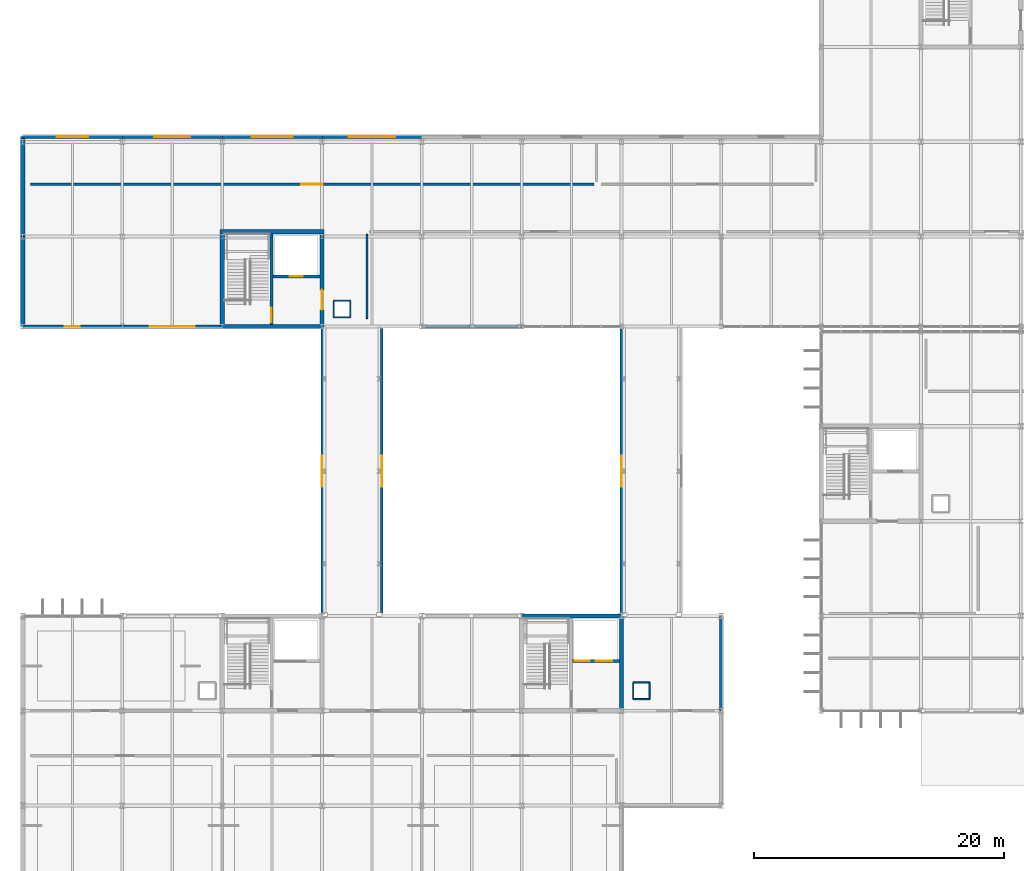
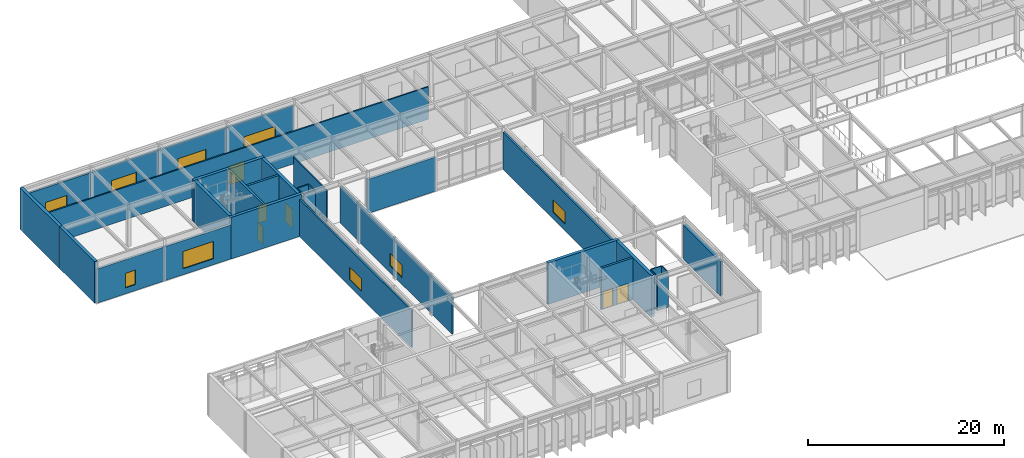
# One storey, part 71 of 94: 32 walls, 9 windows, 6 doors, 15 openings.
"""IFC4 building model written with IfcOpenShell, lengths in metres."""

from ifc_helpers import new_model, si_unit, direction, frame, frame_2d, origin, place, context, subcontext, project, spatial, rectangle, extrude, material, layer, layer_set, type_object, element, fill, save


model = new_model("IFC4")

# Units and contexts
model_context = context("Model", 3, precision=1e-05, world=origin(), true_north=direction((0.0, 1.0)))
body_context = subcontext(model_context, "Body", "Model", "MODEL_VIEW")
ifc_project = project(units=[si_unit("LENGTHUNIT", "METRE"), si_unit("AREAUNIT", "SQUARE_METRE"), si_unit("VOLUMEUNIT", "CUBIC_METRE"), si_unit("PLANEANGLEUNIT", "RADIAN"), si_unit("MASSUNIT", "GRAM", prefix="KILO")], contexts=[model_context])

# Site, building, storey
site_placement = place(None, origin())
site = spatial("IfcSite", under=ifc_project, at=site_placement, CompositionType="ELEMENT")
building_placement = place(site_placement, origin())
building = spatial("IfcBuilding", under=site, at=building_placement, Name="Zulena Civic Courthouse", CompositionType="ELEMENT")
storey_placement = place(building_placement, frame((0.0, 0.0, 5.39990234375)))
storey = spatial("IfcBuildingStorey", under=building, at=storey_placement, Name="L01", CompositionType="ELEMENT", Elevation=5.39990234375)

# Wall, opening, window
ifc_material_1 = material(Name="Travertine-cream architectural precast concrete C40/50", Category="masonry")
ifc_layer_1 = layer(ifc_material_1, 0.205078125)
ifc_layer_set_1 = layer_set([ifc_layer_1], Name="Travertine-cream architectural precast concrete C40/50")
wall_type_1 = type_object("IfcWallType", Name="BridgeWall_GlazedScreen_205", PredefinedType="STANDARD", material=ifc_layer_set_1)
wall_1_placement = place(storey_placement, frame((28.0, 22.97998046875, 0.0), z_axis=(0.0, 0.0, 1.0), x_axis=(0.0, 1.0, 0.0)))
wall_1 = element("IfcWall", 1, at=wall_1_placement, inside=storey, type_object=wall_type_1, Name="ewall:bridge:BR-52J:L01:W", PredefinedType="STANDARD", context=body_context, shape_type="SweptSolid", body=[
    extrude(rectangle(XDim=22.840087890625, YDim=0.205078125, at=frame_2d((11.419921875, 0.0))), origin(), (0.0, 0.0, 1.0), 4.6201171875),
])
opening_1_placement = place(wall_1_placement, frame((10.195068359375, 0.0, 0.85009765625)))
opening_1 = element("IfcOpeningElement", 2, at=opening_1_placement, cuts=wall_1, Name="Opening WN27", PredefinedType="OPENING", context=body_context, shape_type="SweptSolid", body=[
    extrude(rectangle(XDim=2.449951171875, YDim=1.550048828125, at=frame_2d((1.22509765625, 0.77490234375))), frame((0.0, 0.112548828125, 0.0), z_axis=(0.0, -1.0, 0.0), x_axis=(1.0, 0.0, 0.0)), (0.0, 0.0, 1.0), 0.22509765625),
])
ifc_material_2 = material(Name="Double-silver low-E laminated solar-control glass", Category="glass")
window_type_1 = type_object("IfcWindowType", Name="Win_2450x1550", PartitioningType="DOUBLE_PANEL_VERTICAL", PredefinedType="WINDOW", material=ifc_material_2)
window_1_placement = place(opening_1_placement, origin())
window_1 = element("IfcWindow", 3, at=window_1_placement, inside=storey, type_object=window_type_1, Name="win:bridge:BR-52J:L01:W", OverallHeight=1.550048828125, OverallWidth=2.449951171875, PartitioningType="SINGLE_PANEL", PredefinedType="WINDOW", context=body_context, shape_type="SweptSolid", body=[
    extrude(rectangle(XDim=2.449951171875, YDim=1.550048828125, at=frame_2d((1.22509765625, 0.77490234375))), frame((0.0, 0.030029296875, 0.0), z_axis=(0.0, -1.0, 0.0), x_axis=(1.0, 0.0, 0.0)), (0.0, 0.0, 1.0), 0.06005859375),
])
fill(opening_1, window_1)

wall_2_placement = place(storey_placement, frame((32.800048828125, 45.820068359375, 0.0), z_axis=(0.0, 0.0, 1.0), x_axis=(0.0, -1.0, 0.0)))
wall_2 = element("IfcWall", 4, at=wall_2_placement, inside=storey, type_object=wall_type_1, Name="ewall:bridge:BR-52J:L01:E", PredefinedType="STANDARD", context=body_context, shape_type="SweptSolid", body=[
    extrude(rectangle(XDim=22.840087890625, YDim=0.205078125, at=frame_2d((11.419921875, 0.0))), origin(), (0.0, 0.0, 1.0), 4.6201171875),
])
opening_2_placement = place(wall_2_placement, frame((10.195068359375, 0.0, 0.85009765625)))
opening_2 = element("IfcOpeningElement", 5, at=opening_2_placement, cuts=wall_2, Name="Opening WN27", PredefinedType="OPENING", context=body_context, shape_type="SweptSolid", body=[
    extrude(rectangle(XDim=2.449951171875, YDim=1.550048828125, at=frame_2d((1.22509765625, 0.77490234375))), frame((0.0, 0.112548828125, 0.0), z_axis=(0.0, -1.0, 0.0), x_axis=(1.0, 0.0, 0.0)), (0.0, 0.0, 1.0), 0.22509765625),
])
window_2_placement = place(opening_2_placement, origin())
window_2 = element("IfcWindow", 6, at=window_2_placement, inside=storey, type_object=window_type_1, Name="win:bridge:BR-52J:L01:E", OverallHeight=1.550048828125, OverallWidth=2.449951171875, PartitioningType="SINGLE_PANEL", PredefinedType="WINDOW", context=body_context, shape_type="SweptSolid", body=[
    extrude(rectangle(XDim=2.449951171875, YDim=1.550048828125, at=frame_2d((1.22509765625, 0.77490234375))), frame((0.0, 0.030029296875, 0.0), z_axis=(0.0, -1.0, 0.0), x_axis=(1.0, 0.0, 0.0)), (0.0, 0.0, 1.0), 0.06005859375),
])
fill(opening_2, window_2)

wall_3_placement = place(storey_placement, frame((52.0, 22.97998046875, 0.0), z_axis=(0.0, 0.0, 1.0), x_axis=(0.0, 1.0, 0.0)))
wall_3 = element("IfcWall", 7, at=wall_3_placement, inside=storey, type_object=wall_type_1, Name="ewall:bridge:BR-52C:L01:W", PredefinedType="STANDARD", context=body_context, shape_type="SweptSolid", body=[
    extrude(rectangle(XDim=22.840087890625, YDim=0.205078125, at=frame_2d((11.419921875, 0.0))), origin(), (0.0, 0.0, 1.0), 4.6201171875),
])
opening_3_placement = place(wall_3_placement, frame((10.195068359375, 0.0, 0.85009765625)))
opening_3 = element("IfcOpeningElement", 8, at=opening_3_placement, cuts=wall_3, Name="Opening WN27", PredefinedType="OPENING", context=body_context, shape_type="SweptSolid", body=[
    extrude(rectangle(XDim=2.449951171875, YDim=1.550048828125, at=frame_2d((1.22509765625, 0.77490234375))), frame((0.0, 0.112548828125, 0.0), z_axis=(0.0, -1.0, 0.0), x_axis=(1.0, 0.0, 0.0)), (0.0, 0.0, 1.0), 0.22509765625),
])
window_3_placement = place(opening_3_placement, origin())
window_3 = element("IfcWindow", 9, at=window_3_placement, inside=storey, type_object=window_type_1, Name="win:bridge:BR-52C:L01:W", OverallHeight=1.550048828125, OverallWidth=2.449951171875, PartitioningType="SINGLE_PANEL", PredefinedType="WINDOW", context=body_context, shape_type="SweptSolid", body=[
    extrude(rectangle(XDim=2.449951171875, YDim=1.550048828125, at=frame_2d((1.22509765625, 0.77490234375))), frame((0.0, 0.030029296875, 0.0), z_axis=(0.0, -1.0, 0.0), x_axis=(1.0, 0.0, 0.0)), (0.0, 0.0, 1.0), 0.06005859375),
])
fill(opening_3, window_3)

# Wall, openings, doors
ifc_material_3 = material(Name="Concrete C40/50", Category="concrete")
ifc_layer_2 = layer(ifc_material_3, 0.25)
ifc_layer_set_2 = layer_set([ifc_layer_2], Name="Concrete C40/50")
wall_type_2 = type_object("IfcWallType", Name="CoreShearWall_RC250", PredefinedType="SHEAR", material=ifc_layer_set_2)
wall_4_placement = place(storey_placement, frame((48.074951171875, 19.199951171875, 0.0), z_axis=(0.0, 0.0, 1.0), x_axis=(1.0, 0.0, 0.0)))
wall_4 = element("IfcWall", 10, at=wall_4_placement, inside=storey, type_object=wall_type_2, Name="cwall:K2B:L01:SHF", PredefinedType="SHEAR", context=body_context, shape_type="SweptSolid", body=[
    extrude(rectangle(XDim=3.75, YDim=0.25, at=frame_2d((1.875, 0.0))), origin(), (0.0, 0.0, 1.0), 5.190185546875),
])
opening_4_placement = place(wall_4_placement, frame((0.179931640625, 0.0, 0.0)))
opening_4 = element("IfcOpeningElement", 11, at=opening_4_placement, cuts=wall_4, Name="Opening LD01", PredefinedType="OPENING", context=body_context, shape_type="SweptSolid", body=[
    extrude(rectangle(XDim=1.199951171875, YDim=2.199951171875, at=frame_2d((0.60009765625, 1.10009765625))), frame((0.0, 0.135009765625, 0.0), z_axis=(0.0, -1.0, 0.0), x_axis=(1.0, 0.0, 0.0)), (0.0, 0.0, 1.0), 0.27001953125),
])
opening_5_placement = place(wall_4_placement, frame((1.85009765625, 0.0, 0.0)))
opening_5 = element("IfcOpeningElement", 12, at=opening_5_placement, cuts=wall_4, Name="Opening LD04", PredefinedType="OPENING", context=body_context, shape_type="SweptSolid", body=[
    extrude(rectangle(XDim=1.35009765625, YDim=2.199951171875, at=frame_2d((0.675048828125, 1.10009765625))), frame((0.0, 0.135009765625, 0.0), z_axis=(0.0, -1.0, 0.0), x_axis=(1.0, 0.0, 0.0)), (0.0, 0.0, 1.0), 0.27001953125),
])
ifc_material_4 = material(Name="Fire-rated galvanised steel ASTM A653 Grade 50", Category="steel")
door_type_1 = type_object("IfcDoorType", Name="LiftLandingDoor_FF_1200x2200", OperationType="SLIDING_TO_LEFT", PredefinedType="DOOR", material=ifc_material_4)
door_1_placement = place(opening_4_placement, origin())
door_1 = element("IfcDoor", 13, at=door_1_placement, inside=storey, type_object=door_type_1, Name="door:ld:FL-02:L01", OperationType="SLIDING_TO_LEFT", OverallHeight=2.199951171875, OverallWidth=1.199951171875, PredefinedType="DOOR", context=body_context, shape_type="SweptSolid", body=[
    extrude(rectangle(XDim=1.199951171875, YDim=2.199951171875, at=frame_2d((0.60009765625, 1.10009765625))), frame((0.0, 0.02490234375, 0.0), z_axis=(0.0, -1.0, 0.0), x_axis=(1.0, 0.0, 0.0)), (0.0, 0.0, 1.0), 0.050048828125),
])
fill(opening_4, door_1)
door_type_2 = type_object("IfcDoorType", Name="LiftLandingDoor_Goods_1350x2300", OperationType="DOUBLE_DOOR_SLIDING", PredefinedType="DOOR", material=ifc_material_4)
door_2_placement = place(opening_5_placement, origin())
door_2 = element("IfcDoor", 14, at=door_2_placement, inside=storey, type_object=door_type_2, Name="door:ld:CL-01:L01", OperationType="DOUBLE_DOOR_SLIDING", OverallHeight=2.199951171875, OverallWidth=1.35009765625, PredefinedType="DOOR", context=body_context, shape_type="SweptSolid", body=[
    extrude(rectangle(XDim=1.35009765625, YDim=2.199951171875, at=frame_2d((0.675048828125, 1.10009765625))), frame((0.0, 0.02490234375, 0.0), z_axis=(0.0, -1.0, 0.0), x_axis=(1.0, 0.0, 0.0)), (0.0, 0.0, 1.0), 0.050048828125),
])
fill(opening_5, door_2)

# Wall, opening, door
wall_5_placement = place(storey_placement, frame((23.949951171875, 46.175048828125, 0.0), z_axis=(0.0, 0.0, 1.0), x_axis=(0.0, 1.0, 0.0)))
wall_5 = element("IfcWall", 15, at=wall_5_placement, inside=storey, type_object=wall_type_2, Name="cwall:K5A:L01:DIV", PredefinedType="SHEAR", context=body_context, shape_type="SweptSolid", body=[
    extrude(rectangle(XDim=7.25, YDim=0.25, at=frame_2d((3.625, 0.0))), origin(), (0.0, 0.0, 1.0), 5.190185546875),
])
opening_6_placement = place(wall_5_placement, frame((0.179931640625, 0.0, 0.0)))
opening_6 = element("IfcOpeningElement", 16, at=opening_6_placement, cuts=wall_5, Name="Opening ID08", PredefinedType="OPENING", context=body_context, shape_type="SweptSolid", body=[
    extrude(rectangle(XDim=1.14990234375, YDim=2.199951171875, at=frame_2d((0.574951171875, 1.10009765625))), frame((0.0, 0.135009765625, 0.0), z_axis=(0.0, -1.0, 0.0), x_axis=(1.0, 0.0, 0.0)), (0.0, 0.0, 1.0), 0.27001953125),
])
door_type_3 = type_object("IfcDoorType", Name="IntDoor_Stair_1150x2200", OperationType="NOTDEFINED", PredefinedType="DOOR", material=ifc_material_4)
door_3_placement = place(opening_6_placement, origin())
door_3 = element("IfcDoor", 17, at=door_3_placement, inside=storey, type_object=door_type_3, Name="door:stair:K5A:L01", OperationType="SINGLE_SWING_LEFT", OverallHeight=2.199951171875, OverallWidth=1.14990234375, PredefinedType="DOOR", context=body_context, shape_type="SweptSolid", body=[
    extrude(rectangle(XDim=1.14990234375, YDim=2.199951171875, at=frame_2d((0.574951171875, 1.10009765625))), frame((0.0, 0.02490234375, 0.0), z_axis=(0.0, -1.0, 0.0), x_axis=(1.0, 0.0, 0.0)), (0.0, 0.0, 1.0), 0.050048828125),
])
fill(opening_6, door_3)

wall_6_placement = place(storey_placement, frame((24.074951171875, 50.0, 0.0), z_axis=(0.0, 0.0, 1.0), x_axis=(1.0, 0.0, 0.0)))
wall_6 = element("IfcWall", 18, at=wall_6_placement, inside=storey, type_object=wall_type_2, Name="cwall:K5A:L01:SHF", PredefinedType="SHEAR", context=body_context, shape_type="SweptSolid", body=[
    extrude(rectangle(XDim=3.75, YDim=0.25, at=frame_2d((1.875, 0.0))), origin(), (0.0, 0.0, 1.0), 5.190185546875),
])
opening_7_placement = place(wall_6_placement, frame((1.344970703125, 0.0, 0.0)))
opening_7 = element("IfcOpeningElement", 19, at=opening_7_placement, cuts=wall_6, Name="Opening LD03", PredefinedType="OPENING", context=body_context, shape_type="SweptSolid", body=[
    extrude(rectangle(XDim=1.050048828125, YDim=2.199951171875, at=frame_2d((0.52490234375, 1.10009765625))), frame((0.0, 0.135009765625, 0.0), z_axis=(0.0, -1.0, 0.0), x_axis=(1.0, 0.0, 0.0)), (0.0, 0.0, 1.0), 0.27001953125),
])
door_type_4 = type_object("IfcDoorType", Name="LiftLandingDoor_Jud_1050x2200", OperationType="SLIDING_TO_RIGHT", PredefinedType="DOOR", material=ifc_material_4)
door_4_placement = place(opening_7_placement, origin())
door_4 = element("IfcDoor", 20, at=door_4_placement, inside=storey, type_object=door_type_4, Name="door:ld:JL-02:L01", OperationType="SLIDING_TO_RIGHT", OverallHeight=2.199951171875, OverallWidth=1.050048828125, PredefinedType="DOOR", context=body_context, shape_type="SweptSolid", body=[
    extrude(rectangle(XDim=1.050048828125, YDim=2.199951171875, at=frame_2d((0.52490234375, 1.10009765625))), frame((0.0, 0.02490234375, 0.0), z_axis=(0.0, -1.0, 0.0), x_axis=(1.0, 0.0, 0.0)), (0.0, 0.0, 1.0), 0.050048828125),
])
fill(opening_7, door_4)

# Walls
ifc_layer_3 = layer(ifc_material_3, 0.35009765625)
ifc_layer_set_3 = layer_set([ifc_layer_3], Name="Concrete C40/50")
wall_type_3 = type_object("IfcWallType", Name="CoreShearWall_RC350", PredefinedType="SHEAR", material=ifc_layer_set_3)
wall_7_placement = place(storey_placement, frame((43.824951171875, 22.800048828125, 0.0), z_axis=(0.0, 0.0, 1.0), x_axis=(1.0, 0.0, 0.0)))
element("IfcWall", 21, at=wall_7_placement, inside=storey, type_object=wall_type_3, Name="cwall:K2B:L01:N", PredefinedType="SHEAR", context=body_context, shape_type="SweptSolid", body=[
    extrude(rectangle(XDim=8.35009765625, YDim=0.35009765625, at=frame_2d((4.175048828125, 0.0))), origin(), (0.0, 0.0, 1.0), 5.190185546875),
])
wall_8_placement = place(storey_placement, frame((52.0, 15.375, 0.0), z_axis=(0.0, 0.0, 1.0), x_axis=(0.0, 1.0, 0.0)))
element("IfcWall", 22, at=wall_8_placement, inside=storey, type_object=wall_type_3, Name="cwall:K2B:L01:E", PredefinedType="SHEAR", context=body_context, shape_type="SweptSolid", body=[
    extrude(rectangle(XDim=7.25, YDim=0.35009765625, at=frame_2d((3.625, 0.0))), origin(), (0.0, 0.0, 1.0), 5.190185546875),
])
for number, where, z_axis, x_axis, name in (
    (23, (19.824951171875, 46.0, 0.0), (0.0, 0.0, 1.0), (1.0, 0.0, 0.0), "cwall:K5A:L01:S"),
    (24, (19.824951171875, 53.60009765625, 0.0), (0.0, 0.0, 1.0), (1.0, 0.0, 0.0), "cwall:K5A:L01:N"),
):
    element("IfcWall", number, at=place(storey_placement, frame(where, z_axis=z_axis, x_axis=x_axis)), inside=storey, type_object=wall_type_3, Name=name, PredefinedType="SHEAR", context=body_context, shape_type="SweptSolid", body=[
        extrude(rectangle(XDim=8.35009765625, YDim=0.35009765625, at=frame_2d((4.175048828125, 0.0))), origin(), (0.0, 0.0, 1.0), 5.190185546875),
    ])
wall_9_placement = place(storey_placement, frame((20.0, 46.175048828125, 0.0), z_axis=(0.0, 0.0, 1.0), x_axis=(0.0, 1.0, 0.0)))
element("IfcWall", 25, at=wall_9_placement, inside=storey, type_object=wall_type_3, Name="cwall:K5A:L01:W", PredefinedType="SHEAR", context=body_context, shape_type="SweptSolid", body=[
    extrude(rectangle(XDim=7.25, YDim=0.35009765625, at=frame_2d((3.625, 0.0))), origin(), (0.0, 0.0, 1.0), 5.190185546875),
])

# Wall, opening, door
wall_10_placement = place(storey_placement, frame((28.0, 46.175048828125, 0.0), z_axis=(0.0, 0.0, 1.0), x_axis=(0.0, 1.0, 0.0)))
wall_10 = element("IfcWall", 26, at=wall_10_placement, inside=storey, type_object=wall_type_3, Name="cwall:K5A:L01:E", PredefinedType="SHEAR", context=body_context, shape_type="SweptSolid", body=[
    extrude(rectangle(XDim=7.25, YDim=0.35009765625, at=frame_2d((3.625, 0.0))), origin(), (0.0, 0.0, 1.0), 5.190185546875),
])
opening_8_placement = place(wall_10_placement, frame((1.14990234375, 0.0, 0.0)))
opening_8 = element("IfcOpeningElement", 27, at=opening_8_placement, cuts=wall_10, Name="Opening ID04", PredefinedType="OPENING", context=body_context, shape_type="SweptSolid", body=[
    extrude(rectangle(XDim=1.60009765625, YDim=2.35009765625, at=frame_2d((0.800048828125, 1.175048828125))), frame((0.0, 0.18505859375, 0.0), z_axis=(0.0, -1.0, 0.0), x_axis=(1.0, 0.0, 0.0)), (0.0, 0.0, 1.0), 0.3701171875),
])
ifc_material_5 = material(Name="Solid-core acoustic hardwood timber", Category="wood")
door_type_5 = type_object("IfcDoorType", Name="IntDoor_CourtPublic_1600x2350", OperationType="DOUBLE_DOOR_SINGLE_SWING", PredefinedType="DOOR", material=ifc_material_5)
door_5_placement = place(opening_8_placement, origin())
door_5 = element("IfcDoor", 28, at=door_5_placement, inside=storey, type_object=door_type_5, Name="door:corelob:K5A:L01", OperationType="DOUBLE_DOOR_SINGLE_SWING", OverallHeight=2.35009765625, OverallWidth=1.60009765625, PredefinedType="DOOR", context=body_context, shape_type="SweptSolid", body=[
    extrude(rectangle(XDim=1.60009765625, YDim=2.35009765625, at=frame_2d((0.800048828125, 1.175048828125))), frame((0.0, 0.02490234375, 0.0), z_axis=(0.0, -1.0, 0.0), x_axis=(1.0, 0.0, 0.0)), (0.0, 0.0, 1.0), 0.050048828125),
])
fill(opening_8, door_5)

# Wall, opening, window
ifc_material_6 = material(Name="Buff architectural precast concrete C40/50", Category="concrete")
ifc_layer_4 = layer(ifc_material_6, 0.264892578125)
ifc_layer_set_4 = layer_set([ifc_layer_4], Name="Buff architectural precast concrete C40/50")
wall_type_4 = type_object("IfcWallType", Name="ExtWall_BuffPrecast_265", PredefinedType="STANDARD", material=ifc_layer_set_4)
wall_11_placement = place(storey_placement, frame((3.97998046875, 61.199951171875, 0.0), z_axis=(0.0, 0.0, 1.0), x_axis=(1.0, 0.0, 0.0)))
wall_11 = element("IfcWall", 29, at=wall_11_placement, inside=storey, type_object=wall_type_4, Name="ewall:V5:L01:1:0", PredefinedType="STANDARD", context=body_context, shape_type="SweptSolid", body=[
    extrude(rectangle(XDim=8.0400390625, YDim=0.264892578125, at=frame_2d((4.02001953125, 0.0))), origin(), (0.0, 0.0, 1.0), 4.25),
])
opening_9_placement = place(wall_11_placement, frame((2.77001953125, 0.0, 0.75)))
opening_9 = element("IfcOpeningElement", 30, at=opening_9_placement, cuts=wall_11, Name="Opening WN45", PredefinedType="OPENING", context=body_context, shape_type="SweptSolid", body=[
    extrude(rectangle(XDim=2.5, YDim=1.64990234375, at=frame_2d((1.25, 0.824951171875))), frame((0.0, 0.142333984375, 0.0), z_axis=(0.0, -1.0, 0.0), x_axis=(1.0, 0.0, 0.0)), (0.0, 0.0, 1.0), 0.284912109375),
])
window_type_2 = type_object("IfcWindowType", Name="Win_2500x1650", PartitioningType="DOUBLE_PANEL_VERTICAL", PredefinedType="WINDOW", material=ifc_material_2)
window_4_placement = place(opening_9_placement, origin())
window_4 = element("IfcWindow", 31, at=window_4_placement, inside=storey, type_object=window_type_2, Name="win:V5:L01:1:0", OverallHeight=1.64990234375, OverallWidth=2.5, PartitioningType="SINGLE_PANEL", PredefinedType="WINDOW", context=body_context, shape_type="SweptSolid", body=[
    extrude(rectangle(XDim=2.5, YDim=1.64990234375, at=frame_2d((1.25, 0.824951171875))), frame((0.0, 0.030029296875, 0.0), z_axis=(0.0, -1.0, 0.0), x_axis=(1.0, 0.0, 0.0)), (0.0, 0.0, 1.0), 0.06005859375),
])
fill(opening_9, window_4)

wall_12_placement = place(storey_placement, frame((11.97998046875, 61.199951171875, 0.0), z_axis=(0.0, 0.0, 1.0), x_axis=(1.0, 0.0, 0.0)))
wall_12 = element("IfcWall", 32, at=wall_12_placement, inside=storey, type_object=wall_type_4, Name="ewall:V5:L01:1:1", PredefinedType="STANDARD", context=body_context, shape_type="SweptSolid", body=[
    extrude(rectangle(XDim=8.0400390625, YDim=0.264892578125, at=frame_2d((4.02001953125, 0.0))), origin(), (0.0, 0.0, 1.0), 4.25),
])
opening_10_placement = place(wall_12_placement, frame((2.570068359375, 0.0, 0.75)))
opening_10 = element("IfcOpeningElement", 33, at=opening_10_placement, cuts=wall_12, Name="Opening WN46", PredefinedType="OPENING", context=body_context, shape_type="SweptSolid", body=[
    extrude(rectangle(XDim=2.89990234375, YDim=1.64990234375, at=frame_2d((1.449951171875, 0.824951171875))), frame((0.0, 0.142333984375, 0.0), z_axis=(0.0, -1.0, 0.0), x_axis=(1.0, 0.0, 0.0)), (0.0, 0.0, 1.0), 0.284912109375),
])
window_type_3 = type_object("IfcWindowType", Name="Win_2900x1650", PartitioningType="DOUBLE_PANEL_VERTICAL", PredefinedType="WINDOW", material=ifc_material_2)
window_5_placement = place(opening_10_placement, origin())
window_5 = element("IfcWindow", 34, at=window_5_placement, inside=storey, type_object=window_type_3, Name="win:V5:L01:1:1", OverallHeight=1.64990234375, OverallWidth=2.89990234375, PartitioningType="SINGLE_PANEL", PredefinedType="WINDOW", context=body_context, shape_type="SweptSolid", body=[
    extrude(rectangle(XDim=2.89990234375, YDim=1.64990234375, at=frame_2d((1.449951171875, 0.824951171875))), frame((0.0, 0.030029296875, 0.0), z_axis=(0.0, -1.0, 0.0), x_axis=(1.0, 0.0, 0.0)), (0.0, 0.0, 1.0), 0.06005859375),
])
fill(opening_10, window_5)

wall_13_placement = place(storey_placement, frame((19.97998046875, 61.199951171875, 0.0), z_axis=(0.0, 0.0, 1.0), x_axis=(1.0, 0.0, 0.0)))
wall_13 = element("IfcWall", 35, at=wall_13_placement, inside=storey, type_object=wall_type_4, Name="ewall:V5:L01:1:2", PredefinedType="STANDARD", context=body_context, shape_type="SweptSolid", body=[
    extrude(rectangle(XDim=8.0400390625, YDim=0.264892578125, at=frame_2d((4.02001953125, 0.0))), origin(), (0.0, 0.0, 1.0), 4.25),
])
opening_11_placement = place(wall_13_placement, frame((2.3701171875, 0.0, 0.75)))
opening_11 = element("IfcOpeningElement", 36, at=opening_11_placement, cuts=wall_13, Name="Opening WN47", PredefinedType="OPENING", context=body_context, shape_type="SweptSolid", body=[
    extrude(rectangle(XDim=3.300048828125, YDim=1.64990234375, at=frame_2d((1.64990234375, 0.824951171875))), frame((0.0, 0.142333984375, 0.0), z_axis=(0.0, -1.0, 0.0), x_axis=(1.0, 0.0, 0.0)), (0.0, 0.0, 1.0), 0.284912109375),
])
window_type_4 = type_object("IfcWindowType", Name="Win_3300x1650", PartitioningType="DOUBLE_PANEL_VERTICAL", PredefinedType="WINDOW", material=ifc_material_2)
window_6_placement = place(opening_11_placement, origin())
window_6 = element("IfcWindow", 37, at=window_6_placement, inside=storey, type_object=window_type_4, Name="win:V5:L01:1:2", OverallHeight=1.64990234375, OverallWidth=3.300048828125, PartitioningType="SINGLE_PANEL", PredefinedType="WINDOW", context=body_context, shape_type="SweptSolid", body=[
    extrude(rectangle(XDim=3.300048828125, YDim=1.64990234375, at=frame_2d((1.64990234375, 0.824951171875))), frame((0.0, 0.030029296875, 0.0), z_axis=(0.0, -1.0, 0.0), x_axis=(1.0, 0.0, 0.0)), (0.0, 0.0, 1.0), 0.06005859375),
])
fill(opening_11, window_6)

wall_14_placement = place(storey_placement, frame((27.97998046875, 61.199951171875, 0.0), z_axis=(0.0, 0.0, 1.0), x_axis=(1.0, 0.0, 0.0)))
wall_14 = element("IfcWall", 38, at=wall_14_placement, inside=storey, type_object=wall_type_4, Name="ewall:V5:L01:1:3", PredefinedType="STANDARD", context=body_context, shape_type="SweptSolid", body=[
    extrude(rectangle(XDim=8.0400390625, YDim=0.264892578125, at=frame_2d((4.02001953125, 0.0))), origin(), (0.0, 0.0, 1.0), 4.25),
])
opening_12_placement = place(wall_14_placement, frame((2.169921875, 0.0, 0.75)))
opening_12 = element("IfcOpeningElement", 39, at=opening_12_placement, cuts=wall_14, Name="Opening WN48", PredefinedType="OPENING", context=body_context, shape_type="SweptSolid", body=[
    extrude(rectangle(XDim=3.699951171875, YDim=1.64990234375, at=frame_2d((1.85009765625, 0.824951171875))), frame((0.0, 0.142333984375, 0.0), z_axis=(0.0, -1.0, 0.0), x_axis=(1.0, 0.0, 0.0)), (0.0, 0.0, 1.0), 0.284912109375),
])
window_type_5 = type_object("IfcWindowType", Name="Win_3700x1650", PartitioningType="DOUBLE_PANEL_VERTICAL", PredefinedType="WINDOW", material=ifc_material_2)
window_7_placement = place(opening_12_placement, origin())
window_7 = element("IfcWindow", 40, at=window_7_placement, inside=storey, type_object=window_type_5, Name="win:V5:L01:1:3", OverallHeight=1.64990234375, OverallWidth=3.699951171875, PartitioningType="SINGLE_PANEL", PredefinedType="WINDOW", context=body_context, shape_type="SweptSolid", body=[
    extrude(rectangle(XDim=3.699951171875, YDim=1.64990234375, at=frame_2d((1.85009765625, 0.824951171875))), frame((0.0, 0.030029296875, 0.0), z_axis=(0.0, -1.0, 0.0), x_axis=(1.0, 0.0, 0.0)), (0.0, 0.0, 1.0), 0.06005859375),
])
fill(opening_12, window_7)

# Wall
wall_15_placement = place(storey_placement, frame((44.02001953125, 46.0, 0.0), z_axis=(0.0, 0.0, 1.0), x_axis=(-1.0, 0.0, 0.0)))
element("IfcWall", 41, at=wall_15_placement, inside=storey, type_object=wall_type_4, Name="ewall:V5:L01:5:8", PredefinedType="STANDARD", context=body_context, shape_type="SweptSolid", body=[
    extrude(rectangle(XDim=8.0400390625, YDim=0.264892578125, at=frame_2d((4.02001953125, 0.0))), origin(), (0.0, 0.0, 1.0), 4.25),
])

# Wall, opening, window
wall_16_placement = place(storey_placement, frame((20.02001953125, 46.0, 0.0), z_axis=(0.0, 0.0, 1.0), x_axis=(-1.0, 0.0, 0.0)))
wall_16 = element("IfcWall", 42, at=wall_16_placement, inside=storey, type_object=wall_type_4, Name="ewall:V5:L01:5:11", PredefinedType="STANDARD", context=body_context, shape_type="SweptSolid", body=[
    extrude(rectangle(XDim=8.0400390625, YDim=0.264892578125, at=frame_2d((4.02001953125, 0.0))), origin(), (0.0, 0.0, 1.0), 4.25),
])
opening_13_placement = place(wall_16_placement, frame((2.219970703125, 0.0, 0.75)))
opening_13 = element("IfcOpeningElement", 43, at=opening_13_placement, cuts=wall_16, Name="Opening WN15", PredefinedType="OPENING", context=body_context, shape_type="SweptSolid", body=[
    extrude(rectangle(XDim=3.60009765625, YDim=2.14990234375, at=frame_2d((1.800048828125, 1.074951171875))), frame((0.0, 0.142333984375, 0.0), z_axis=(0.0, -1.0, 0.0), x_axis=(1.0, 0.0, 0.0)), (0.0, 0.0, 1.0), 0.284912109375),
])
window_type_6 = type_object("IfcWindowType", Name="Win_3600x2150", PartitioningType="DOUBLE_PANEL_VERTICAL", PredefinedType="WINDOW", material=ifc_material_2)
window_8_placement = place(opening_13_placement, origin())
window_8 = element("IfcWindow", 44, at=window_8_placement, inside=storey, type_object=window_type_6, Name="win:V5:L01:5:11", OverallHeight=2.14990234375, OverallWidth=3.60009765625, PartitioningType="SINGLE_PANEL", PredefinedType="WINDOW", context=body_context, shape_type="SweptSolid", body=[
    extrude(rectangle(XDim=3.60009765625, YDim=2.14990234375, at=frame_2d((1.800048828125, 1.074951171875))), frame((0.0, 0.030029296875, 0.0), z_axis=(0.0, -1.0, 0.0), x_axis=(1.0, 0.0, 0.0)), (0.0, 0.0, 1.0), 0.06005859375),
])
fill(opening_13, window_8)

wall_17_placement = place(storey_placement, frame((12.02001953125, 46.0, 0.0), z_axis=(0.0, 0.0, 1.0), x_axis=(-1.0, 0.0, 0.0)))
wall_17 = element("IfcWall", 45, at=wall_17_placement, inside=storey, type_object=wall_type_4, Name="ewall:V5:L01:5:12", PredefinedType="STANDARD", context=body_context, shape_type="SweptSolid", body=[
    extrude(rectangle(XDim=8.0400390625, YDim=0.264892578125, at=frame_2d((4.02001953125, 0.0))), origin(), (0.0, 0.0, 1.0), 4.25),
])
opening_14_placement = place(wall_17_placement, frame((3.419921875, 0.0, 0.75)))
opening_14 = element("IfcOpeningElement", 46, at=opening_14_placement, cuts=wall_17, Name="Opening WN16", PredefinedType="OPENING", context=body_context, shape_type="SweptSolid", body=[
    extrude(rectangle(XDim=1.199951171875, YDim=1.800048828125, at=frame_2d((0.60009765625, 0.89990234375))), frame((0.0, 0.142333984375, 0.0), z_axis=(0.0, -1.0, 0.0), x_axis=(1.0, 0.0, 0.0)), (0.0, 0.0, 1.0), 0.284912109375),
])
window_type_7 = type_object("IfcWindowType", Name="Win_1200x1800", PartitioningType="SINGLE_PANEL", PredefinedType="WINDOW", material=ifc_material_2)
window_9_placement = place(opening_14_placement, origin())
window_9 = element("IfcWindow", 47, at=window_9_placement, inside=storey, type_object=window_type_7, Name="win:V5:L01:5:12", OverallHeight=1.800048828125, OverallWidth=1.199951171875, PartitioningType="SINGLE_PANEL", PredefinedType="WINDOW", context=body_context, shape_type="SweptSolid", body=[
    extrude(rectangle(XDim=1.199951171875, YDim=1.800048828125, at=frame_2d((0.60009765625, 0.89990234375))), frame((0.0, 0.030029296875, 0.0), z_axis=(0.0, -1.0, 0.0), x_axis=(1.0, 0.0, 0.0)), (0.0, 0.0, 1.0), 0.06005859375),
])
fill(opening_14, window_9)

# Walls
ifc_layer_5 = layer(ifc_material_3, 0.360107421875)
ifc_layer_set_5 = layer_set([ifc_layer_5], Name="Concrete C40/50")
wall_type_5 = type_object("IfcWallType", Name="ExtWall_PartyWall_360", PredefinedType="STANDARD", material=ifc_layer_set_5)
wall_18_placement = place(storey_placement, frame((4.0, 45.97998046875, 0.0), z_axis=(0.0, 0.0, 1.0), x_axis=(0.0, 1.0, 0.0)))
element("IfcWall", 48, at=wall_18_placement, inside=storey, type_object=wall_type_5, Name="ewall:V5:L01:0:0", PredefinedType="STANDARD", context=body_context, shape_type="SweptSolid", body=[
    extrude(rectangle(XDim=7.239990234375, YDim=0.360107421875, at=frame_2d((3.6201171875, 0.0))), origin(), (0.0, 0.0, 1.0), 5.190185546875),
])
wall_19_placement = place(storey_placement, frame((4.0, 53.179931640625, 0.0), z_axis=(0.0, 0.0, 1.0), x_axis=(0.0, 1.0, 0.0)))
element("IfcWall", 49, at=wall_19_placement, inside=storey, type_object=wall_type_5, Name="ewall:V5:L01:0:1", PredefinedType="STANDARD", context=body_context, shape_type="SweptSolid", body=[
    extrude(rectangle(XDim=8.0400390625, YDim=0.360107421875, at=frame_2d((4.02001953125, 0.0))), origin(), (0.0, 0.0, 1.0), 5.190185546875),
])
ifc_material_7 = material(Name="White architectural precast concrete C40/50", Category="concrete")
ifc_layer_6 = layer(ifc_material_7, 0.300048828125)
ifc_layer_set_6 = layer_set([ifc_layer_6], Name="White architectural precast concrete C40/50")
wall_type_6 = type_object("IfcWallType", Name="ExtWall_WhitePrecast_300", PredefinedType="STANDARD", material=ifc_layer_set_6)
wall_20_placement = place(storey_placement, frame((60.0, 22.820068359375, 0.0), z_axis=(0.0, 0.0, 1.0), x_axis=(0.0, -1.0, 0.0)))
element("IfcWall", 50, at=wall_20_placement, inside=storey, type_object=wall_type_6, Name="ewall:V2:L01:2:0", PredefinedType="STANDARD", context=body_context, shape_type="SweptSolid", body=[
    extrude(rectangle(XDim=7.64013671875, YDim=0.300048828125, at=frame_2d((3.820068359375, 0.0))), origin(), (0.0, 0.0, 1.0), 4.25),
])
ifc_material_8 = material(Name="Acoustic fire-rated gypsum board assembly", Category="masonry")
ifc_layer_7 = layer(ifc_material_8, 0.14599609375)
ifc_layer_set_7 = layer_set([ifc_layer_7], Name="Acoustic fire-rated gypsum board assembly")
wall_type_7 = type_object("IfcWallType", Name="PartWall_Chambers_146", PredefinedType="PARTITIONING", material=ifc_layer_set_7)
wall_21_placement = place(storey_placement, frame((31.60009765625, 46.6201171875, 0.0), z_axis=(0.0, 0.0, 1.0), x_axis=(0.0, 1.0, 0.0)))
element("IfcWall", 51, at=wall_21_placement, inside=storey, type_object=wall_type_7, Name="pwall:L01:381:1", PredefinedType="PARTITIONING", context=body_context, shape_type="SweptSolid", body=[
    extrude(rectangle(XDim=6.759765625, YDim=0.14599609375, at=frame_2d((3.3798828125, 0.0))), origin(), (0.0, 0.0, 1.0), 4.050048828125),
])

# Wall, opening, door
ifc_layer_8 = layer(ifc_material_8, 0.162109375)
ifc_layer_set_8 = layer_set([ifc_layer_8], Name="Acoustic fire-rated gypsum board assembly")
wall_type_8 = type_object("IfcWallType", Name="PartWall_Jury_162", PredefinedType="PARTITIONING", material=ifc_layer_set_8)
wall_22_placement = place(storey_placement, frame((4.6201171875, 57.39990234375, 0.0), z_axis=(0.0, 0.0, 1.0), x_axis=(1.0, 0.0, 0.0)))
wall_22 = element("IfcWall", 52, at=wall_22_placement, inside=storey, type_object=wall_type_8, Name="pwall:L01:383:0", PredefinedType="PARTITIONING", context=body_context, shape_type="SweptSolid", body=[
    extrude(rectangle(XDim=45.159912109375, YDim=0.162109375, at=frame_2d((22.580078125, 0.0))), origin(), (0.0, 0.0, 1.0), 4.050048828125),
])
opening_15_placement = place(wall_22_placement, frame((21.705078125, 0.0, 0.0)))
opening_15 = element("IfcOpeningElement", 53, at=opening_15_placement, cuts=wall_22, Name="Opening ID03", PredefinedType="OPENING", context=body_context, shape_type="SweptSolid", body=[
    extrude(rectangle(XDim=1.75, YDim=2.35009765625, at=frame_2d((0.875, 1.175048828125))), frame((0.0, 0.091064453125, 0.0), z_axis=(0.0, -1.0, 0.0), x_axis=(1.0, 0.0, 0.0)), (0.0, 0.0, 1.0), 0.18212890625),
])
door_type_6 = type_object("IfcDoorType", Name="IntDoor_CourtPublic_1750x2350", OperationType="DOUBLE_DOOR_SINGLE_SWING", PredefinedType="DOOR", material=ifc_material_5)
door_6_placement = place(opening_15_placement, origin())
door_6 = element("IfcDoor", 54, at=door_6_placement, inside=storey, type_object=door_type_6, Name="door:rm:L01:383", OperationType="DOUBLE_DOOR_SINGLE_SWING", OverallHeight=2.35009765625, OverallWidth=1.75, PredefinedType="DOOR", context=body_context, shape_type="SweptSolid", body=[
    extrude(rectangle(XDim=1.75, YDim=2.35009765625, at=frame_2d((0.875, 1.175048828125))), frame((0.0, 0.02490234375, 0.0), z_axis=(0.0, -1.0, 0.0), x_axis=(1.0, 0.0, 0.0)), (0.0, 0.0, 1.0), 0.050048828125),
])
fill(opening_15, door_6)

# Walls
ifc_material_9 = material(Name="Insulated blockwork masonry ASTM C90", Category="masonry")
ifc_layer_9 = layer(ifc_material_9, 0.114990234375)
ifc_layer_set_9 = layer_set([ifc_layer_9], Name="Insulated blockwork masonry ASTM C90")
wall_type_9 = type_object("IfcWallType", Name="PartWall_Riser_115", PredefinedType="PARTITIONING", material=ifc_layer_set_9)
for number, where, z_axis, x_axis, name in (
    (55, (52.93994140625, 16.139892578125, 0.0), (0.0, 0.0, 1.0), (1.0, 0.0, 0.0), "riser:RS-V2E:L01:0"),
    (56, (54.260009765625, 16.139892578125, 0.0), (0.0, 0.0, 1.0), (0.0, 1.0, 0.0), "riser:RS-V2E:L01:1"),
    (57, (54.260009765625, 17.4599609375, 0.0), (0.0, 0.0, 1.0), (-1.0, 0.0, 0.0), "riser:RS-V2E:L01:2"),
    (58, (52.93994140625, 17.4599609375, 0.0), (0.0, 0.0, 1.0), (0.0, -1.0, 0.0), "riser:RS-V2E:L01:3"),
    (59, (28.93994140625, 46.739990234375, 0.0), (0.0, 0.0, 1.0), (1.0, 0.0, 0.0), "riser:RS-V5W:L01:0"),
    (60, (30.260009765625, 46.739990234375, 0.0), (0.0, 0.0, 1.0), (0.0, 1.0, 0.0), "riser:RS-V5W:L01:1"),
    (61, (30.260009765625, 48.06005859375, 0.0), (0.0, 0.0, 1.0), (-1.0, 0.0, 0.0), "riser:RS-V5W:L01:2"),
    (62, (28.93994140625, 48.06005859375, 0.0), (0.0, 0.0, 1.0), (0.0, -1.0, 0.0), "riser:RS-V5W:L01:3"),
):
    element("IfcWall", number, at=place(storey_placement, frame(where, z_axis=z_axis, x_axis=x_axis)), inside=storey, type_object=wall_type_9, Name=name, PredefinedType="PARTITIONING", context=body_context, shape_type="SweptSolid", body=[
        extrude(rectangle(XDim=1.320068359375, YDim=0.114990234375, at=frame_2d((0.66015625, 0.0))), origin(), (0.0, 0.0, 1.0), 4.35009765625),
    ])

save(model, "model.ifc")
